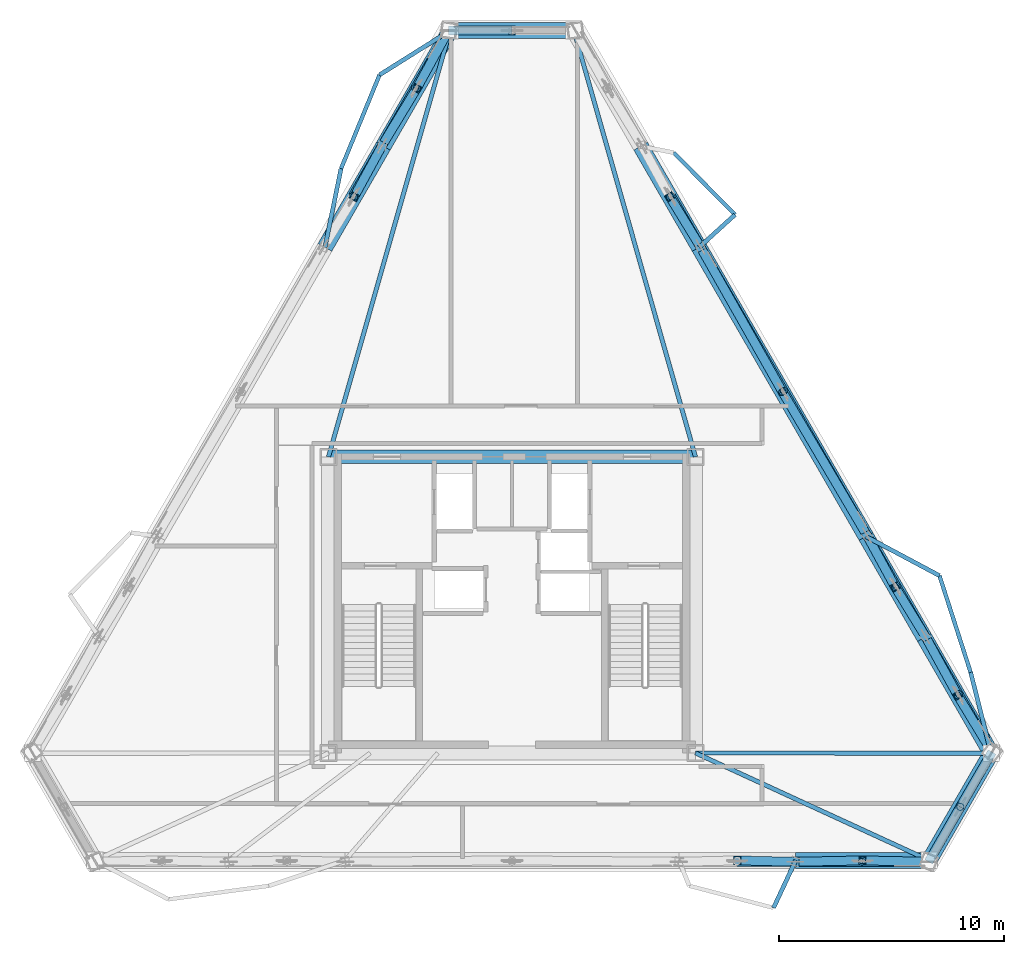
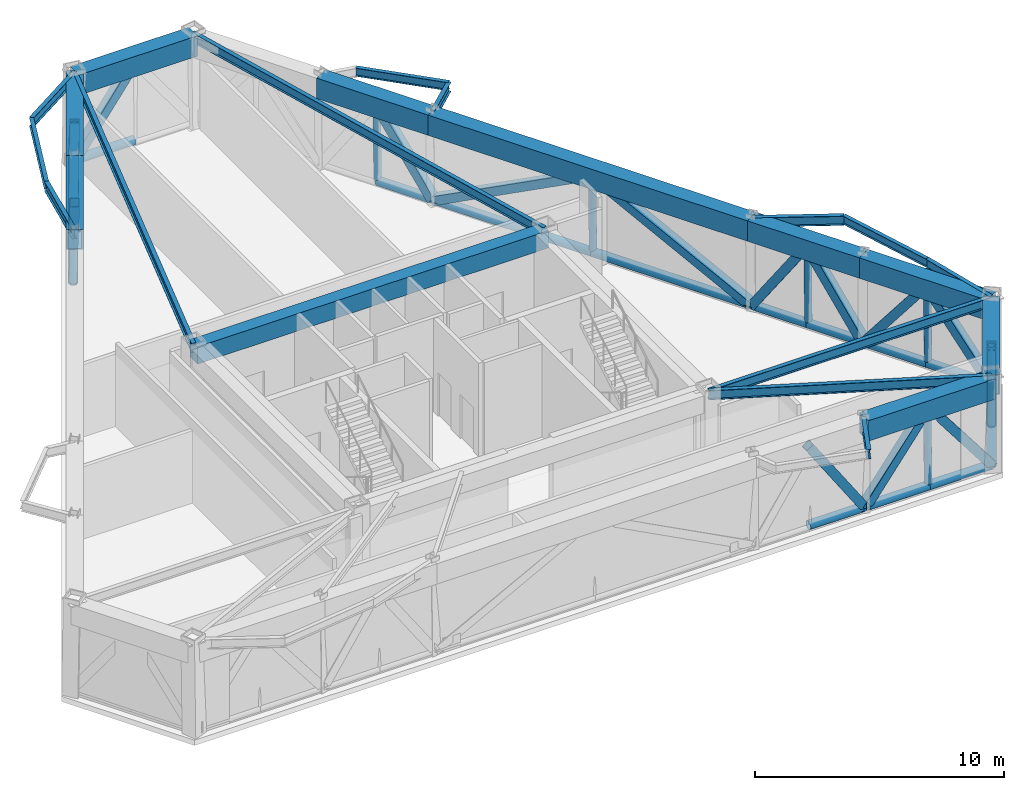
# One storey, part 3 of 10: 40 members, 23 beams.
"""IFC4 building model written with IfcOpenShell, lengths in metres."""

from ifc_helpers import new_model, si_unit, direction, frame, origin, origin_2d, place, context, subcontext, project, spatial, rectangle, hollow_rectangle, hollow_circle, i_section, extrude, material, material_profile, profile_set, type_object, element, save


model = new_model("IFC4")

# Units and contexts
model_context = context("Model", 3, precision=1e-05, world=origin(), true_north=direction((0.0, 1.0)))
body_context = subcontext(model_context, "Body", "Model", "MODEL_VIEW")
ifc_project = project(units=[si_unit("LENGTHUNIT", "METRE"), si_unit("AREAUNIT", "SQUARE_METRE"), si_unit("VOLUMEUNIT", "CUBIC_METRE"), si_unit("PLANEANGLEUNIT", "RADIAN"), si_unit("MASSUNIT", "GRAM", prefix="KILO")], contexts=[model_context])

# Site, building, storey
site_placement = place(None, origin())
site = spatial("IfcSite", under=ifc_project, at=site_placement, CompositionType="ELEMENT")
building_placement = place(site_placement, origin())
building = spatial("IfcBuilding", under=site, at=building_placement, Name="Oramaril Tower", CompositionType="ELEMENT")
storey_placement = place(building_placement, frame((0.0, 0.0, 245.10009765625)))
storey = spatial("IfcBuildingStorey", under=building, at=storey_placement, Name="L65", CompositionType="ELEMENT", Elevation=245.10009765625)

# Beams
ifc_material_1 = material(Name="Steel ASTM A572 Gr 50", Category="steel")
ifc_material_profile_1 = material_profile(ifc_material_1, i_section(OverallWidth=0.19091796875, OverallDepth=0.45703125, WebThickness=0.009033203125, FlangeThickness=0.014404296875, at=origin_2d()), Name="W18X50")
ifc_profile_set_1 = profile_set([ifc_material_profile_1], Name="Steel ASTM A572 Gr 50")
beam_type_1 = type_object("IfcBeamType", Name="BT-BB1", PredefinedType="BEAM", material=ifc_profile_set_1)
beam_1_placement = place(storey_placement, frame((45.64990234375, 11.0, 4.351318359375), z_axis=(0.908607783353, -0.41765044718, 0.0), x_axis=(0.41765044718, 0.908607783353, 0.0)))
element("IfcBeam", 1, at=beam_1_placement, inside=storey, type_object=beam_type_1, Name="L65 Radial Primary Beam RB-03", PredefinedType="BEAM", context=body_context, shape_type="SweptSolid", body=[
    extrude(i_section(OverallWidth=0.19091796875, OverallDepth=0.45703125, WebThickness=0.009033203125, FlangeThickness=0.014404296875, at=origin_2d()), origin(), (0.0, 0.0, 1.0), 11.419921875),
])
beam_2_placement = place(storey_placement, frame((45.64990234375, 11.0, 4.351318359375), z_axis=(0.999999736844, -0.000725473227, 0.0), x_axis=(0.000725473227, 0.999999736844, 0.0)))
element("IfcBeam", 2, at=beam_2_placement, inside=storey, type_object=beam_type_1, Name="L65 Radial Primary Beam RB-04", PredefinedType="BEAM", context=body_context, shape_type="SweptSolid", body=[
    extrude(i_section(OverallWidth=0.19091796875, OverallDepth=0.45703125, WebThickness=0.009033203125, FlangeThickness=0.014404296875, at=origin_2d()), origin(), (0.0, 0.0, 1.0), 13.12451171875),
])
for number, where, z_axis, x_axis, name in (
    (3, (45.64990234375, 24.14990234375, 4.351318359375), (-0.274404966701, 0.961614223194, 0.0), (-0.961614223194, -0.274404966701, 0.0), "L65 Radial Primary Beam RB-05"),
    (4, (29.35009765625, 24.14990234375, 4.351318359375), (0.274404966701, 0.961614223194, 0.0), (-0.961614223194, 0.274404966701, 0.0), "L65 Radial Primary Beam RB-06"),
):
    element("IfcBeam", number, at=place(storey_placement, frame(where, z_axis=z_axis, x_axis=x_axis)), inside=storey, type_object=beam_type_1, Name=name, PredefinedType="BEAM", context=body_context, shape_type="SweptSolid", body=[
        extrude(i_section(OverallWidth=0.19091796875, OverallDepth=0.45703125, WebThickness=0.009033203125, FlangeThickness=0.014404296875, at=origin_2d()), origin(), (0.0, 0.0, 1.0), 19.684814453125),
    ])
beam_3_placement = place(storey_placement, frame((50.097900390625, 6.23046875, 4.351318359375), z_axis=(-0.423040581241, -0.906110736402, 0.0), x_axis=(0.906110736402, -0.423040581241, 0.0)))
element("IfcBeam", 5, at=beam_3_placement, inside=storey, type_object=beam_type_1, Name="L65 Balcony Column-Framed Cantilever 02.2", PredefinedType="BEAM", context=body_context, shape_type="SweptSolid", body=[
    extrude(i_section(OverallWidth=0.19091796875, OverallDepth=0.45703125, WebThickness=0.009033203125, FlangeThickness=0.014404296875, at=origin_2d()), origin(), (0.0, 0.0, 1.0), 2.326416015625),
])
for number, where, z_axis, x_axis, name in (
    (6, (58.7744140625, 10.990478515625, 4.351318359375), (-0.245329243552, 0.969439818791, 0.0), (-0.969439818791, -0.245329243552, 0.0), "L65 Balcony Column-Framed Cantilever 03.1"),
    (7, (53.216552734375, 20.616943359375, 4.351318359375), (0.882276214129, -0.470732070271, 0.0), (0.470732070271, 0.882276214129, 0.0), "L65 Balcony Column-Framed Cantilever 03.2"),
):
    element("IfcBeam", number, at=place(storey_placement, frame(where, z_axis=z_axis, x_axis=x_axis)), inside=storey, type_object=beam_type_1, Name=name, PredefinedType="BEAM", context=body_context, shape_type="SweptSolid", body=[
        extrude(i_section(OverallWidth=0.19091796875, OverallDepth=0.45703125, WebThickness=0.009033203125, FlangeThickness=0.014404296875, at=origin_2d()), origin(), (0.0, 0.0, 1.0), 3.699951171875),
    ])
beam_4_placement = place(storey_placement, frame((45.80615234375, 33.452392578125, 4.351318359375), z_axis=(0.739699377992, 0.672937463809, 0.0), x_axis=(-0.672937463809, 0.739699377992, 0.0)))
element("IfcBeam", 8, at=beam_4_placement, inside=storey, type_object=beam_type_1, Name="L65 Balcony Column-Framed Cantilever 04.1", PredefinedType="BEAM", context=body_context, shape_type="SweptSolid", body=[
    extrude(i_section(OverallWidth=0.19091796875, OverallDepth=0.45703125, WebThickness=0.009033203125, FlangeThickness=0.014404296875, at=origin_2d()), origin(), (0.0, 0.0, 1.0), 2.157470703125),
])
beam_5_placement = place(storey_placement, frame((34.751708984375, 43.0791015625, 4.351318359375), z_axis=(-0.846769030932, -0.531960720593, 0.0), x_axis=(0.531960720593, -0.846769030932, 0.0)))
element("IfcBeam", 9, at=beam_5_placement, inside=storey, type_object=beam_type_1, Name="L65 Balcony Column-Framed Cantilever 05.1", PredefinedType="BEAM", context=body_context, shape_type="SweptSolid", body=[
    extrude(i_section(OverallWidth=0.19091796875, OverallDepth=0.45703125, WebThickness=0.009033203125, FlangeThickness=0.014404296875, at=origin_2d()), origin(), (0.0, 0.0, 1.0), 3.699951171875),
])
beam_6_placement = place(storey_placement, frame((29.19384765625, 33.452392578125, 4.351318359375), z_axis=(0.200509690975, 0.979691718769, 0.0), x_axis=(-0.979691718769, 0.200509690975, 0.0)))
element("IfcBeam", 10, at=beam_6_placement, inside=storey, type_object=beam_type_1, Name="L65 Balcony Column-Framed Cantilever 05.2", PredefinedType="BEAM", context=body_context, shape_type="SweptSolid", body=[
    extrude(i_section(OverallWidth=0.19091796875, OverallDepth=0.45703125, WebThickness=0.009033203125, FlangeThickness=0.014404296875, at=origin_2d()), origin(), (0.0, 0.0, 1.0), 3.567626953125),
])
ifc_material_2 = material(Name="Steel ASTM A572 Gr 50", Category="steel")
ifc_material_profile_2 = material_profile(ifc_material_2, hollow_rectangle(XDim=0.699951171875, YDim=1.0, WallThickness=0.06494140625, at=origin_2d()), Name="BOX1000X700X65")
ifc_profile_set_2 = profile_set([ifc_material_profile_2], Name="Steel ASTM A572 Gr 50")
beam_type_2 = type_object("IfcBeamType", Name="BT-BT1", PredefinedType="BEAM", material=ifc_profile_set_2)
beam_7_placement = place(storey_placement, frame((50.097900390625, 6.23046875, 4.079833984375), z_axis=(1.0, 0.0, 0.0), x_axis=(0.0, 1.0, 0.0)))
element("IfcBeam", 11, at=beam_7_placement, inside=storey, type_object=beam_type_2, Name="L65 Perimeter Spandrel 06", PredefinedType="BEAM", context=body_context, shape_type="SweptSolid", body=[
    extrude(hollow_rectangle(XDim=0.699951171875, YDim=1.0, WallThickness=0.06494140625, at=origin_2d()), origin(), (0.0, 0.0, 1.0), 5.92822265625),
])
beam_8_placement = place(storey_placement, frame((56.026123046875, 6.23046875, 4.079833984375), z_axis=(0.500013385357, 0.866017675607, 0.0), x_axis=(-0.866017675607, 0.500013385357, 0.0)))
element("IfcBeam", 12, at=beam_8_placement, inside=storey, type_object=beam_type_2, Name="L65 Perimeter Spandrel 07", PredefinedType="BEAM", context=body_context, shape_type="SweptSolid", body=[
    extrude(hollow_rectangle(XDim=0.699951171875, YDim=1.0, WallThickness=0.06494140625, at=origin_2d()), origin(), (0.0, 0.0, 1.0), 5.496337890625),
])
beam_9_placement = place(storey_placement, frame((58.7744140625, 10.990478515625, 4.079833984375), z_axis=(-0.499979116088, 0.866037460781, 0.0), x_axis=(-0.866037460781, -0.499979116088, 0.0)))
element("IfcBeam", 13, at=beam_9_placement, inside=storey, type_object=beam_type_2, Name="L65 Perimeter Spandrel 08", PredefinedType="BEAM", context=body_context, shape_type="SweptSolid", body=[
    extrude(hollow_rectangle(XDim=0.699951171875, YDim=1.0, WallThickness=0.06494140625, at=origin_2d()), origin(), (0.0, 0.0, 1.0), 5.928466796875),
])
beam_10_placement = place(storey_placement, frame((55.810302734375, 16.124755859375, 4.079833984375), z_axis=(-0.500026652407, 0.866010015463, 0.0), x_axis=(-0.866010015463, -0.500026652407, 0.0)))
element("IfcBeam", 14, at=beam_10_placement, inside=storey, type_object=beam_type_2, Name="L65 Perimeter Spandrel 09", PredefinedType="BEAM", context=body_context, shape_type="SweptSolid", body=[
    extrude(hollow_rectangle(XDim=0.699951171875, YDim=1.0, WallThickness=0.06494140625, at=origin_2d()), origin(), (0.0, 0.0, 1.0), 5.187255859375),
])
beam_11_placement = place(storey_placement, frame((53.216552734375, 20.616943359375, 4.079833984375), z_axis=(-0.499992426062, 0.866029776555, 0.0), x_axis=(-0.866029776555, -0.499992426062, 0.0)))
element("IfcBeam", 15, at=beam_11_placement, inside=storey, type_object=beam_type_2, Name="L65 Perimeter Spandrel 10", PredefinedType="BEAM", context=body_context, shape_type="SweptSolid", body=[
    extrude(hollow_rectangle(XDim=0.699951171875, YDim=1.0, WallThickness=0.06494140625, at=origin_2d()), origin(), (0.0, 0.0, 1.0), 14.821044921875),
])
beam_12_placement = place(storey_placement, frame((45.80615234375, 33.452392578125, 4.079833984375), z_axis=(-0.500006272302, 0.866021782439, 0.0), x_axis=(-0.866021782439, -0.500006272302, 0.0)))
element("IfcBeam", 16, at=beam_12_placement, inside=storey, type_object=beam_type_2, Name="L65 Perimeter Spandrel 11", PredefinedType="BEAM", context=body_context, shape_type="SweptSolid", body=[
    extrude(hollow_rectangle(XDim=0.699951171875, YDim=1.0, WallThickness=0.06494140625, at=origin_2d()), origin(), (0.0, 0.0, 1.0), 5.1875),
])
beam_13_placement = place(storey_placement, frame((40.248291015625, 43.0791015625, 4.079833984375), z_axis=(-1.0, 0.0, 0.0), x_axis=(0.0, -1.0, 0.0)))
element("IfcBeam", 17, at=beam_13_placement, inside=storey, type_object=beam_type_2, Name="L65 Perimeter Spandrel 13", PredefinedType="BEAM", context=body_context, shape_type="SweptSolid", body=[
    extrude(hollow_rectangle(XDim=0.699951171875, YDim=1.0, WallThickness=0.06494140625, at=origin_2d()), origin(), (0.0, 0.0, 1.0), 5.49658203125),
])
beam_14_placement = place(storey_placement, frame((34.751708984375, 43.0791015625, 4.079833984375), z_axis=(-0.499979116088, -0.866037460781, 0.0), x_axis=(0.866037460781, -0.499979116088, 0.0)))
element("IfcBeam", 18, at=beam_14_placement, inside=storey, type_object=beam_type_2, Name="L65 Perimeter Spandrel 14", PredefinedType="BEAM", context=body_context, shape_type="SweptSolid", body=[
    extrude(hollow_rectangle(XDim=0.699951171875, YDim=1.0, WallThickness=0.06494140625, at=origin_2d()), origin(), (0.0, 0.0, 1.0), 5.928466796875),
])
beam_15_placement = place(storey_placement, frame((31.78759765625, 37.94482421875, 4.079833984375), z_axis=(-0.500006272302, -0.866021782439, 0.0), x_axis=(0.866021782439, -0.500006272302, 0.0)))
element("IfcBeam", 19, at=beam_15_placement, inside=storey, type_object=beam_type_2, Name="L65 Perimeter Spandrel 15", PredefinedType="BEAM", context=body_context, shape_type="SweptSolid", body=[
    extrude(hollow_rectangle(XDim=0.699951171875, YDim=1.0, WallThickness=0.06494140625, at=origin_2d()), origin(), (0.0, 0.0, 1.0), 5.1875),
])
ifc_material_3 = material(Name="Concrete C50/60", Category="concrete")
ifc_material_profile_3 = material_profile(ifc_material_3, rectangle(XDim=0.60009765625, YDim=0.85009765625, at=origin_2d()), Name="CB600X850")
ifc_profile_set_3 = profile_set([ifc_material_profile_3], Name="Concrete C50/60")
beam_type_3 = type_object("IfcBeamType", Name="BT-CB2", PredefinedType="BEAM", material=ifc_profile_set_3)
beam_16_placement = place(storey_placement, frame((45.64990234375, 24.14990234375, 4.15478515625), z_axis=(-1.0, 0.0, 0.0), x_axis=(0.0, -1.0, 0.0)))
element("IfcBeam", 20, at=beam_16_placement, inside=storey, type_object=beam_type_3, Name="L65 Core Header Beam CB-3", PredefinedType="BEAM", context=body_context, shape_type="SweptSolid", body=[
    extrude(rectangle(XDim=0.60009765625, YDim=0.85009765625, at=origin_2d()), origin(), (0.0, 0.0, 1.0), 16.2998046875),
])
ifc_material_4 = material(Name="Steel ASTM A572 Gr 50", Category="steel")
ifc_material_profile_4 = material_profile(ifc_material_4, i_section(OverallWidth=0.177978515625, OverallDepth=0.404052734375, WebThickness=0.007568359375, FlangeThickness=0.010986328125, at=origin_2d()), Name="W16X36")
ifc_profile_set_4 = profile_set([ifc_material_profile_4], Name="Steel ASTM A572 Gr 50")
beam_type_4 = type_object("IfcBeamType", Name="BT-SB1", PredefinedType="BEAM", material=ifc_profile_set_4)
beam_17_placement = place(storey_placement, frame((57.86669921875, 14.577392578125, 4.3779296875), z_axis=(-0.30687008707, 0.951751411694, 0.0), x_axis=(-0.951751411694, -0.30687008707, 0.0)))
element("IfcBeam", 21, at=beam_17_placement, inside=storey, type_object=beam_type_4, Name="L65 Balcony Edge Tie Beam 03", PredefinedType="BEAM", context=body_context, shape_type="SweptSolid", body=[
    extrude(i_section(OverallWidth=0.177978515625, OverallDepth=0.404052734375, WebThickness=0.007568359375, FlangeThickness=0.010986328125, at=origin_2d()), origin(), (0.0, 0.0, 1.0), 4.515625),
])
beam_18_placement = place(storey_placement, frame((47.402099609375, 34.904296875, 4.3779296875), z_axis=(-0.702994511648, 0.71119527318, 0.0), x_axis=(-0.71119527318, -0.702994511648, 0.0)))
element("IfcBeam", 22, at=beam_18_placement, inside=storey, type_object=beam_type_4, Name="L65 Balcony Edge Tie Beam 04", PredefinedType="BEAM", context=body_context, shape_type="SweptSolid", body=[
    extrude(i_section(OverallWidth=0.177978515625, OverallDepth=0.404052734375, WebThickness=0.007568359375, FlangeThickness=0.010986328125, at=origin_2d()), origin(), (0.0, 0.0, 1.0), 3.8701171875),
])
beam_19_placement = place(storey_placement, frame((31.61865234375, 41.11083984375, 4.3779296875), z_axis=(-0.379830164168, -0.925056239581, 0.0), x_axis=(0.925056239581, -0.379830164168, 0.0)))
element("IfcBeam", 23, at=beam_19_placement, inside=storey, type_object=beam_type_4, Name="L65 Balcony Edge Tie Beam 05", PredefinedType="BEAM", context=body_context, shape_type="SweptSolid", body=[
    extrude(i_section(OverallWidth=0.177978515625, OverallDepth=0.404052734375, WebThickness=0.007568359375, FlangeThickness=0.010986328125, at=origin_2d()), origin(), (0.0, 0.0, 1.0), 4.500732421875),
])

# Members
ifc_material_5 = material(Name="Steel ASTM A572 Gr 50", Category="steel")
ifc_material_profile_5 = material_profile(ifc_material_5, hollow_rectangle(XDim=0.39990234375, YDim=0.39990234375, WallThickness=0.02001953125, at=origin_2d()), Name="HSS400X400X20")
ifc_profile_set_5 = profile_set([ifc_material_profile_5], Name="Steel ASTM A572 Gr 50")
member_type_1 = type_object("IfcMemberType", Name="MT-BD1", PredefinedType="BRACE", material=ifc_profile_set_5)
member_1_placement = place(storey_placement, frame((50.080810546875, 6.168212890625, 0.2099609375), z_axis=(-0.554165691322, 0.01338944962, 0.832298689895), x_axis=(-0.024154406021, -0.999708239773, 0.0)))
element("IfcMember", 24, at=member_1_placement, inside=storey, type_object=member_type_1, Name="L65 Truss Diagonal 05B", PredefinedType="BRACE", context=body_context, shape_type="SweptSolid", body=[
    extrude(hollow_rectangle(XDim=0.39990234375, YDim=0.39990234375, WallThickness=0.02001953125, at=origin_2d()), origin(), (0.0, 0.0, 1.0), 4.649658203125),
])
member_2_placement = place(storey_placement, frame((50.080810546875, 6.168212890625, 0.2099609375), z_axis=(0.610223810426, 0.012743188245, 0.792126575961), x_axis=(-0.020878258658, 0.999782025401, 0.0)))
element("IfcMember", 25, at=member_2_placement, inside=storey, type_object=member_type_1, Name="L65 Truss Diagonal 06A", PredefinedType="BRACE", context=body_context, shape_type="SweptSolid", body=[
    extrude(hollow_rectangle(XDim=0.39990234375, YDim=0.39990234375, WallThickness=0.02001953125, at=origin_2d()), origin(), (0.0, 0.0, 1.0), 4.885498046875),
])
member_3_placement = place(storey_placement, frame((56.001220703125, 6.168212890625, 0.2099609375), z_axis=(-0.604786487698, 0.012810080103, 0.79628462634), x_axis=(-0.021176411449, -0.999775754656, 0.0)))
element("IfcMember", 26, at=member_3_placement, inside=storey, type_object=member_type_1, Name="L65 Truss Diagonal 06B", PredefinedType="BRACE", context=body_context, shape_type="SweptSolid", body=[
    extrude(hollow_rectangle(XDim=0.39990234375, YDim=0.39990234375, WallThickness=0.02001953125, at=origin_2d()), origin(), (0.0, 0.0, 1.0), 4.85986328125),
])
for number, where, z_axis, x_axis, name in (
    (27, (56.001220703125, 6.168212890625, 0.2099609375), (0.292390889249, 0.510395822029, 0.808704935523), (-0.867703534093, 0.497082062564, 0.0), "L65 Truss Diagonal 07A"),
    (28, (58.81591796875, 11.04345703125, 0.2099609375), (-0.295811617884, -0.508410274615, 0.808711616951), (0.864341482585, -0.502905360364, 0.0), "L65 Truss Diagonal 07B"),
):
    element("IfcMember", number, at=place(storey_placement, frame(where, z_axis=z_axis, x_axis=x_axis)), inside=storey, type_object=member_type_1, Name=name, PredefinedType="BRACE", context=body_context, shape_type="SweptSolid", body=[
        extrude(hollow_rectangle(XDim=0.39990234375, YDim=0.39990234375, WallThickness=0.02001953125, at=origin_2d()), origin(), (0.0, 0.0, 1.0), 4.78515625),
    ])
member_4_placement = place(storey_placement, frame((58.81591796875, 11.04345703125, 0.2099609375), z_axis=(-0.313521879387, 0.517328683533, 0.796288304786), x_axis=(-0.855205639658, -0.518288832502, 0.0)))
element("IfcMember", 29, at=member_4_placement, inside=storey, type_object=member_type_1, Name="L65 Truss Diagonal 08A", PredefinedType="BRACE", context=body_context, shape_type="SweptSolid", body=[
    extrude(hollow_rectangle(XDim=0.39990234375, YDim=0.39990234375, WallThickness=0.02001953125, at=origin_2d()), origin(), (0.0, 0.0, 1.0), 4.85986328125),
])
member_5_placement = place(storey_placement, frame((55.855712890625, 16.170654296875, 0.2099609375), z_axis=(0.294042044079, -0.534862678073, 0.792124480065), x_axis=(0.87630751106, 0.481752162485, 0.0)))
element("IfcMember", 30, at=member_5_placement, inside=storey, type_object=member_type_1, Name="L65 Truss Diagonal 08B", PredefinedType="BRACE", context=body_context, shape_type="SweptSolid", body=[
    extrude(hollow_rectangle(XDim=0.39990234375, YDim=0.39990234375, WallThickness=0.02001953125, at=origin_2d()), origin(), (0.0, 0.0, 1.0), 4.885498046875),
])
member_6_placement = place(storey_placement, frame((55.855712890625, 16.170654296875, 0.2099609375), z_axis=(-0.288690136705, 0.473203985446, 0.832307631304), x_axis=(-0.853674971791, -0.520806146794, 0.0)))
element("IfcMember", 31, at=member_6_placement, inside=storey, type_object=member_type_1, Name="L65 Truss Diagonal 09A", PredefinedType="BRACE", context=body_context, shape_type="SweptSolid", body=[
    extrude(hollow_rectangle(XDim=0.39990234375, YDim=0.39990234375, WallThickness=0.02001953125, at=origin_2d()), origin(), (0.0, 0.0, 1.0), 4.649658203125),
])
member_7_placement = place(storey_placement, frame((53.265380859375, 20.656982421875, 0.2099609375), z_axis=(0.267548200363, -0.49008633572, 0.829598302809), x_axis=(0.87772357146, 0.479167332049, 0.0)))
element("IfcMember", 32, at=member_7_placement, inside=storey, type_object=member_type_1, Name="L65 Truss Diagonal 09B", PredefinedType="BRACE", context=body_context, shape_type="SweptSolid", body=[
    extrude(hollow_rectangle(XDim=0.39990234375, YDim=0.39990234375, WallThickness=0.02001953125, at=origin_2d()), origin(), (0.0, 0.0, 1.0), 4.664794921875),
])
member_8_placement = place(storey_placement, frame((53.265380859375, 20.656982421875, 0.2099609375), z_axis=(-0.449528141412, 0.763674555382, 0.463384962575), x_axis=(-0.861782374353, -0.507278167532, 0.0)))
element("IfcMember", 33, at=member_8_placement, inside=storey, type_object=member_type_1, Name="L65 Truss Diagonal 10A", PredefinedType="BRACE", context=body_context, shape_type="SweptSolid", body=[
    extrude(hollow_rectangle(XDim=0.39990234375, YDim=0.39990234375, WallThickness=0.02001953125, at=origin_2d()), origin(), (0.0, 0.0, 1.0), 8.351318359375),
])
member_9_placement = place(storey_placement, frame((45.864990234375, 33.474853515625, 0.2099609375), z_axis=(0.436598852886, -0.771144368281, 0.463376526086), x_axis=(0.870207487805, 0.492685425163, 0.0)))
element("IfcMember", 34, at=member_9_placement, inside=storey, type_object=member_type_1, Name="L65 Truss Diagonal 10B", PredefinedType="BRACE", context=body_context, shape_type="SweptSolid", body=[
    extrude(hollow_rectangle(XDim=0.39990234375, YDim=0.39990234375, WallThickness=0.02001953125, at=origin_2d()), origin(), (0.0, 0.0, 1.0), 8.3515625),
])
member_10_placement = place(storey_placement, frame((45.864990234375, 33.474853515625, 0.2099609375), z_axis=(-0.29063912033, 0.476704683587, 0.829627353925), x_axis=(-0.853823614956, -0.520562421371, 0.0)))
element("IfcMember", 35, at=member_10_placement, inside=storey, type_object=member_type_1, Name="L65 Truss Diagonal 11A", PredefinedType="BRACE", context=body_context, shape_type="SweptSolid", body=[
    extrude(hollow_rectangle(XDim=0.39990234375, YDim=0.39990234375, WallThickness=0.02001953125, at=origin_2d()), origin(), (0.0, 0.0, 1.0), 4.66455078125),
])
member_11_placement = place(storey_placement, frame((34.685302734375, 43.08837890625, 0.2099609375), z_axis=(0.588203961306, -0.001938741481, 0.808710294967), x_axis=(0.003296018179, 0.999994568117, 0.0)))
element("IfcMember", 36, at=member_11_placement, inside=storey, type_object=member_type_1, Name="L65 Truss Diagonal 13B", PredefinedType="BRACE", context=body_context, shape_type="SweptSolid", body=[
    extrude(hollow_rectangle(XDim=0.39990234375, YDim=0.39990234375, WallThickness=0.02001953125, at=origin_2d()), origin(), (0.0, 0.0, 1.0), 4.78515625),
])
member_12_placement = place(storey_placement, frame((34.685302734375, 43.08837890625, 0.2099609375), z_axis=(-0.291273382712, -0.530149708135, 0.796304654946), x_axis=(0.876431497073, -0.481526563066, 0.0)))
element("IfcMember", 37, at=member_12_placement, inside=storey, type_object=member_type_1, Name="L65 Truss Diagonal 14A", PredefinedType="BRACE", context=body_context, shape_type="SweptSolid", body=[
    extrude(hollow_rectangle(XDim=0.39990234375, YDim=0.39990234375, WallThickness=0.02001953125, at=origin_2d()), origin(), (0.0, 0.0, 1.0), 4.85986328125),
])
member_13_placement = place(storey_placement, frame((31.72509765625, 37.961181640625, 0.2099609375), z_axis=(0.316173847756, 0.522109113539, 0.792108686706), x_axis=(-0.855383621102, 0.51799503931, 0.0)))
element("IfcMember", 38, at=member_13_placement, inside=storey, type_object=member_type_1, Name="L65 Truss Diagonal 14B", PredefinedType="BRACE", context=body_context, shape_type="SweptSolid", body=[
    extrude(hollow_rectangle(XDim=0.39990234375, YDim=0.39990234375, WallThickness=0.02001953125, at=origin_2d()), origin(), (0.0, 0.0, 1.0), 4.885498046875),
])
member_14_placement = place(storey_placement, frame((31.72509765625, 37.961181640625, 0.2099609375), z_axis=(-0.265476087289, -0.486636150513, 0.832290636792), x_axis=(0.877866612274, -0.47890522137, 0.0)))
element("IfcMember", 39, at=member_14_placement, inside=storey, type_object=member_type_1, Name="L65 Truss Diagonal 15A", PredefinedType="BRACE", context=body_context, shape_type="SweptSolid", body=[
    extrude(hollow_rectangle(XDim=0.39990234375, YDim=0.39990234375, WallThickness=0.02001953125, at=origin_2d()), origin(), (0.0, 0.0, 1.0), 4.649658203125),
])
ifc_material_6 = material(Name="Steel ASTM A572 Gr 50", Category="steel")
ifc_material_profile_6 = material_profile(ifc_material_6, hollow_circle(Radius=0.202880859375, WallThickness=0.01611328125, at=origin_2d()), Name="CHS406X16")
ifc_profile_set_6 = profile_set([ifc_material_profile_6], Name="Steel ASTM A572 Gr 50")
member_type_2 = type_object("IfcMemberType", Name="MT-CH1", PredefinedType="CHORD", material=ifc_profile_set_6)
member_15_placement = place(storey_placement, frame((47.490478515625, 6.168212890625, 0.2099609375), z_axis=(1.0, 0.0, 0.0), x_axis=(0.0, 1.0, 0.0)))
element("IfcMember", 40, at=member_15_placement, inside=storey, type_object=member_type_2, Name="L65 Belt Truss Chord 05B", PredefinedType="CHORD", context=body_context, shape_type="SweptSolid", body=[
    extrude(hollow_circle(Radius=0.202880859375, WallThickness=0.01611328125, at=origin_2d()), origin(), (0.0, 0.0, 1.0), 2.59033203125),
])
for number, where, z_axis, x_axis, name in (
    (41, (50.080810546875, 6.168212890625, 0.2099609375), (1.0, 0.0, 0.0), (0.0, 1.0, 0.0), "L65 Belt Truss Chord 06A"),
    (42, (53.041015625, 6.168212890625, 0.2099609375), (1.0, 0.0, 0.0), (0.0, 1.0, 0.0), "L65 Belt Truss Chord 06B"),
):
    element("IfcMember", number, at=place(storey_placement, frame(where, z_axis=z_axis, x_axis=x_axis)), inside=storey, type_object=member_type_2, Name=name, PredefinedType="CHORD", context=body_context, shape_type="SweptSolid", body=[
        extrude(hollow_circle(Radius=0.202880859375, WallThickness=0.01611328125, at=origin_2d()), origin(), (0.0, 0.0, 1.0), 2.960205078125),
    ])
for number, where, z_axis, x_axis, name in (
    (43, (56.001220703125, 6.168212890625, 0.2099609375), (0.499945196853, 0.866057042084, 0.0), (-0.866057042084, 0.499945196853, 0.0), "L65 Belt Truss Chord 07A"),
    (44, (57.408447265625, 8.60595703125, 0.2099609375), (0.500047808172, 0.865997799964, 0.0), (-0.865997799964, 0.500047808172, 0.0), "L65 Belt Truss Chord 07B"),
):
    element("IfcMember", number, at=place(storey_placement, frame(where, z_axis=z_axis, x_axis=x_axis)), inside=storey, type_object=member_type_2, Name=name, PredefinedType="CHORD", context=body_context, shape_type="SweptSolid", body=[
        extrude(hollow_circle(Radius=0.202880859375, WallThickness=0.01611328125, at=origin_2d()), origin(), (0.0, 0.0, 1.0), 2.814697265625),
    ])
member_16_placement = place(storey_placement, frame((58.81591796875, 11.04345703125, 0.2099609375), z_axis=(-0.500015142839, 0.866016660886, 0.0), x_axis=(-0.866016660886, -0.500015142839, 0.0)))
element("IfcMember", 45, at=member_16_placement, inside=storey, type_object=member_type_2, Name="L65 Belt Truss Chord 08A", PredefinedType="CHORD", context=body_context, shape_type="SweptSolid", body=[
    extrude(hollow_circle(Radius=0.202880859375, WallThickness=0.01611328125, at=origin_2d()), origin(), (0.0, 0.0, 1.0), 2.96044921875),
])
member_17_placement = place(storey_placement, frame((57.335693359375, 13.607177734375, 0.2099609375), z_axis=(-0.499988999718, 0.866031754707, 0.0), x_axis=(-0.866031754707, -0.499988999718, 0.0)))
element("IfcMember", 46, at=member_17_placement, inside=storey, type_object=member_type_2, Name="L65 Belt Truss Chord 08B", PredefinedType="CHORD", context=body_context, shape_type="SweptSolid", body=[
    extrude(hollow_circle(Radius=0.202880859375, WallThickness=0.01611328125, at=origin_2d()), origin(), (0.0, 0.0, 1.0), 2.9599609375),
])
for number, where, z_axis, x_axis, name in (
    (47, (55.855712890625, 16.170654296875, 0.2099609375), (-0.500021611996, 0.866012925733, 0.0), (-0.866012925733, -0.500021611996, 0.0), "L65 Belt Truss Chord 09A"),
    (48, (54.560546875, 18.413818359375, 0.2099609375), (-0.500021611996, 0.866012925733, 0.0), (-0.866012925733, -0.500021611996, 0.0), "L65 Belt Truss Chord 09B"),
):
    element("IfcMember", number, at=place(storey_placement, frame(where, z_axis=z_axis, x_axis=x_axis)), inside=storey, type_object=member_type_2, Name=name, PredefinedType="CHORD", context=body_context, shape_type="SweptSolid", body=[
        extrude(hollow_circle(Radius=0.202880859375, WallThickness=0.01611328125, at=origin_2d()), origin(), (0.0, 0.0, 1.0), 2.59033203125),
    ])
for number, where, z_axis, x_axis, name in (
    (49, (53.265380859375, 20.656982421875, 0.2099609375), (-0.499999457728, 0.866025716865, 0.0), (-0.866025716865, -0.499999457728, 0.0), "L65 Belt Truss Chord 10A"),
    (50, (49.565185546875, 27.06591796875, 0.2099609375), (-0.499999457728, 0.866025716865, 0.0), (-0.866025716865, -0.499999457728, 0.0), "L65 Belt Truss Chord 10B"),
):
    element("IfcMember", number, at=place(storey_placement, frame(where, z_axis=z_axis, x_axis=x_axis)), inside=storey, type_object=member_type_2, Name=name, PredefinedType="CHORD", context=body_context, shape_type="SweptSolid", body=[
        extrude(hollow_circle(Radius=0.202880859375, WallThickness=0.01611328125, at=origin_2d()), origin(), (0.0, 0.0, 1.0), 7.400390625),
    ])
member_18_placement = place(storey_placement, frame((45.864990234375, 33.474853515625, 0.2099609375), z_axis=(-0.49995091795, 0.866053739465, 0.0), x_axis=(-0.866053739465, -0.49995091795, 0.0)))
element("IfcMember", 51, at=member_18_placement, inside=storey, type_object=member_type_2, Name="L65 Belt Truss Chord 11A", PredefinedType="CHORD", context=body_context, shape_type="SweptSolid", body=[
    extrude(hollow_circle(Radius=0.202880859375, WallThickness=0.01611328125, at=origin_2d()), origin(), (0.0, 0.0, 1.0), 2.590087890625),
])
member_19_placement = place(storey_placement, frame((37.5, 43.08837890625, 0.2099609375), z_axis=(-1.0, 0.0, 0.0), x_axis=(0.0, -1.0, 0.0)))
element("IfcMember", 52, at=member_19_placement, inside=storey, type_object=member_type_2, Name="L65 Belt Truss Chord 13B", PredefinedType="CHORD", context=body_context, shape_type="SweptSolid", body=[
    extrude(hollow_circle(Radius=0.202880859375, WallThickness=0.01611328125, at=origin_2d()), origin(), (0.0, 0.0, 1.0), 2.814697265625),
])
member_20_placement = place(storey_placement, frame((34.685302734375, 43.08837890625, 0.2099609375), z_axis=(-0.500015142839, -0.866016660886, 0.0), x_axis=(0.866016660886, -0.500015142839, 0.0)))
element("IfcMember", 53, at=member_20_placement, inside=storey, type_object=member_type_2, Name="L65 Belt Truss Chord 14A", PredefinedType="CHORD", context=body_context, shape_type="SweptSolid", body=[
    extrude(hollow_circle(Radius=0.202880859375, WallThickness=0.01611328125, at=origin_2d()), origin(), (0.0, 0.0, 1.0), 2.96044921875),
])
member_21_placement = place(storey_placement, frame((33.205078125, 40.524658203125, 0.2099609375), z_axis=(-0.499988999718, -0.866031754707, 0.0), x_axis=(0.866031754707, -0.499988999718, 0.0)))
element("IfcMember", 54, at=member_21_placement, inside=storey, type_object=member_type_2, Name="L65 Belt Truss Chord 14B", PredefinedType="CHORD", context=body_context, shape_type="SweptSolid", body=[
    extrude(hollow_circle(Radius=0.202880859375, WallThickness=0.01611328125, at=origin_2d()), origin(), (0.0, 0.0, 1.0), 2.9599609375),
])
member_22_placement = place(storey_placement, frame((31.72509765625, 37.961181640625, 0.2099609375), z_axis=(-0.49995091795, -0.866053739465, 0.0), x_axis=(0.866053739465, -0.49995091795, 0.0)))
element("IfcMember", 55, at=member_22_placement, inside=storey, type_object=member_type_2, Name="L65 Belt Truss Chord 15A", PredefinedType="CHORD", context=body_context, shape_type="SweptSolid", body=[
    extrude(hollow_circle(Radius=0.202880859375, WallThickness=0.01611328125, at=origin_2d()), origin(), (0.0, 0.0, 1.0), 2.590087890625),
])
ifc_material_7 = material(Name="Steel ASTM A572 Gr 50", Category="steel")
ifc_material_profile_7 = material_profile(ifc_material_7, hollow_circle(Radius=0.162109375, WallThickness=0.011962890625, at=origin_2d()), Name="CHS324X12")
ifc_profile_set_7 = profile_set([ifc_material_profile_7], Name="Steel ASTM A572 Gr 50")
member_type_3 = type_object("IfcMemberType", Name="MT-ST1", PredefinedType="STRUT", material=ifc_profile_set_7)
member_23_placement = place(storey_placement, frame((53.041015625, 6.168212890625, 0.2099609375), z_axis=(0.005424743451, 0.016084995117, 0.999855912165), x_axis=(-0.947562623673, 0.319570139748, 0.0)))
element("IfcMember", 56, at=member_23_placement, inside=storey, type_object=member_type_3, Name="L65 Belt Truss Strut 06", PredefinedType="STRUT", context=body_context, shape_type="SweptSolid", body=[
    extrude(hollow_circle(Radius=0.162109375, WallThickness=0.011962890625, at=origin_2d()), origin(), (0.0, 0.0, 1.0), 3.870361328125),
])
member_24_placement = place(storey_placement, frame((57.408447265625, 8.60595703125, 0.2099609375), z_axis=(-0.002081881571, 0.001198659086, 0.999997114489), x_axis=(-0.498964444867, -0.866622456874, 0.0)))
element("IfcMember", 57, at=member_24_placement, inside=storey, type_object=member_type_3, Name="L65 Belt Truss Strut 07", PredefinedType="STRUT", context=body_context, shape_type="SweptSolid", body=[
    extrude(hollow_circle(Radius=0.162109375, WallThickness=0.011962890625, at=origin_2d()), origin(), (0.0, 0.0, 1.0), 3.869873046875),
])
for number, where, z_axis, x_axis, name in (
    (58, (57.335693359375, 13.607177734375, 0.2099609375), (-0.011227946833, -0.012804905657, 0.999854973284), (0.751887951591, -0.659290913218, 0.0), "L65 Belt Truss Strut 08"),
    (59, (54.560546875, 18.413818359375, 0.2099609375), (-0.012174235187, -0.011101893227, 0.999864258769), (0.673815342776, -0.738899779294, 0.0), "L65 Belt Truss Strut 09"),
    (60, (49.565185546875, 27.06591796875, 0.2099609375), (-0.013940528676, -0.008074152355, 0.999870226441), (0.501190610045, -0.865336912655, 0.0), "L65 Belt Truss Strut 10"),
    (61, (44.570068359375, 35.718017578125, 0.2099609375), (-0.015706650259, -0.005046313336, 0.999863908669), (0.305885409164, -0.952068336024, 0.0), "L65 Belt Truss Strut 11"),
    (62, (33.205078125, 40.524658203125, 0.2099609375), (0.016715762346, -0.003280074121, 0.999854901675), (0.192554296849, 0.981286320482, 0.0), "L65 Belt Truss Strut 14"),
    (63, (30.43017578125, 35.718017578125, 0.2099609375), (0.01564358681, -0.005046318326, 0.999864897305), (0.307002779923, 0.951708617761, 0.0), "L65 Belt Truss Strut 15"),
):
    element("IfcMember", number, at=place(storey_placement, frame(where, z_axis=z_axis, x_axis=x_axis)), inside=storey, type_object=member_type_3, Name=name, PredefinedType="STRUT", context=body_context, shape_type="SweptSolid", body=[
        extrude(hollow_circle(Radius=0.162109375, WallThickness=0.011962890625, at=origin_2d()), origin(), (0.0, 0.0, 1.0), 3.870361328125),
    ])

save(model, "model.ifc")
